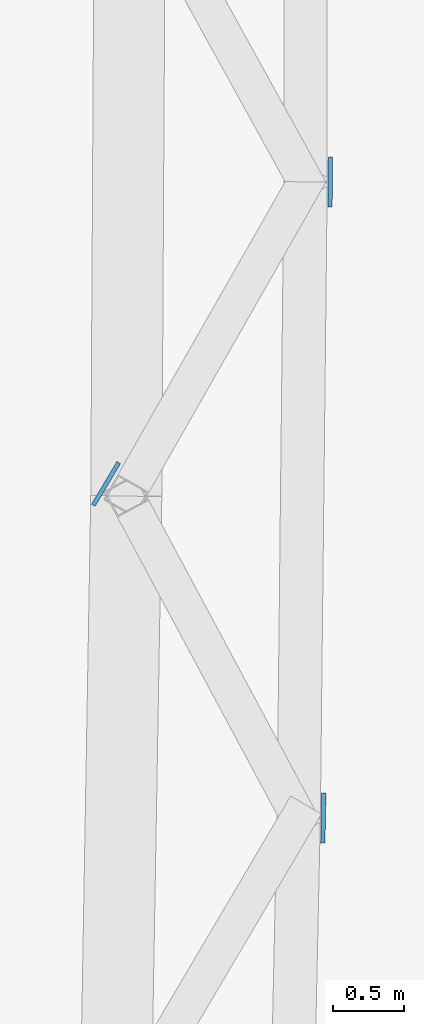
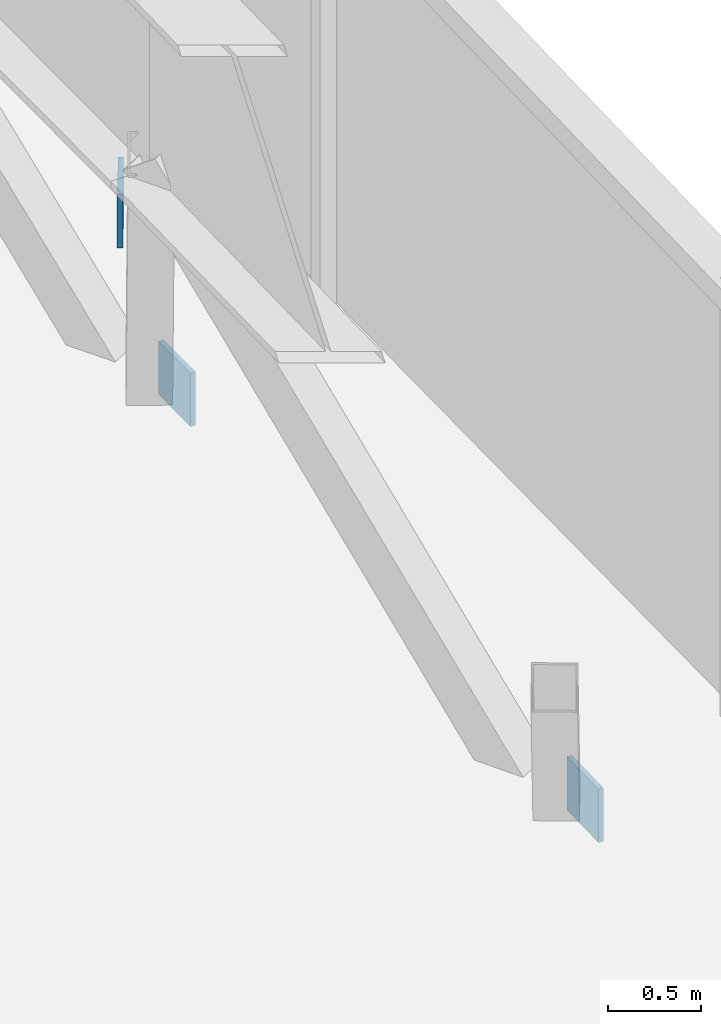
# One storey, part 8 of 19: 3 plates.
"""IFC4 building model written with IfcOpenShell, lengths in metres."""

import ifcopenshell
import ifcopenshell.guid

model = None  # the IFC model being written
_history = None  # IfcOwnerHistory: only IFC2X3 demands one
_inside = {}  # id of a spatial element -> (the spatial element, [elements in it])
_under = {}  # id of a project, library or spatial element -> (it, [spatial elements below it])
_declared = {}  # id of a project -> (the project, [libraries it declares])
_typed = {}  # id of a type object -> (the type object, [elements of that type])
_made_of = {}  # id of a material, layer set ... -> (it, [elements and type objects made of it])


def new_model(schema):
    """Start an empty IFC model of exactly this schema.

    Asked for "IFC4X3", IfcOpenShell would pick the latest addendum, in which some entities
    have other attributes; the version numbers below select the first issue.
    IFC2X3 requires an IfcOwnerHistory on every rooted entity: one is made here for all.
    """
    global model, _history
    if schema == "IFC4X3":
        model = ifcopenshell.file(schema_version=(4, 3, 0, 0))
    else:
        model = ifcopenshell.file(schema=schema)
    _inside.clear()
    _under.clear()
    _declared.clear()
    _typed.clear()
    _made_of.clear()
    _history = None
    if model.schema == "IFC2X3":
        org = make("IfcOrganization", Name="unknown")
        user = make(
            "IfcPersonAndOrganization",
            ThePerson=make("IfcPerson", FamilyName="unknown"),
            TheOrganization=org,
        )
        app = make(
            "IfcApplication",
            ApplicationDeveloper=org,
            Version="unknown",
            ApplicationFullName="unknown",
            ApplicationIdentifier="unknown",
        )
        _history = make(
            "IfcOwnerHistory",
            OwningUser=user,
            OwningApplication=app,
            ChangeAction="ADDED",
            CreationDate=0,
        )
    return model


def make(cls, **values):
    """One entity of the class cls with the attributes given. An attribute that is None is left unset."""
    return model.create_entity(
        cls, **{name: value for name, value in values.items() if value is not None}
    )


def rooted(cls, **values):
    """An entity with a GlobalId (a new one), such as an element, a storey or a relation."""
    return make(cls, GlobalId=ifcopenshell.guid.new(), OwnerHistory=_history, **values)


def si_unit(unit_type, name, prefix=None):
    """IfcSIUnit, for example si_unit("LENGTHUNIT", "METRE", prefix="MILLI")."""
    return make("IfcSIUnit", UnitType=unit_type, Prefix=prefix, Name=name)


def assignment(units):
    """IfcUnitAssignment: the units of a project."""
    return None if units is None else make("IfcUnitAssignment", Units=units)


def point(xyz):
    """IfcCartesianPoint."""
    return None if xyz is None else make("IfcCartesianPoint", Coordinates=xyz)


def direction(xyz):
    """IfcDirection."""
    return None if xyz is None else make("IfcDirection", DirectionRatios=xyz)


def frame(location, z_axis=None, x_axis=None):
    """IfcAxis2Placement3D, a coordinate frame: its origin and axes. An axis left out is left unset."""
    return make(
        "IfcAxis2Placement3D",
        Location=point(location),
        Axis=direction(z_axis),
        RefDirection=direction(x_axis),
    )


def frame_2d(location, x_axis=None):
    """IfcAxis2Placement2D, a coordinate frame in the plane: its origin and x axis."""
    return make(
        "IfcAxis2Placement2D", Location=point(location), RefDirection=direction(x_axis)
    )


def origin():
    """The frame at (0, 0, 0) with its axes left unset."""
    return frame((0.0, 0.0, 0.0))


def origin_2d():
    """The frame at (0, 0) in the plane with its x axis left unset."""
    return frame_2d((0.0, 0.0))


def place(relative_to, where):
    """IfcLocalPlacement: puts the frame where relative to a parent placement (None: the world)."""
    return make(
        "IfcLocalPlacement", PlacementRelTo=relative_to, RelativePlacement=where
    )


def context(
    kind, dimensions, precision=None, world=None, true_north=None, identifier=None
):
    """IfcGeometricRepresentationContext, for example the 3D "Model" context."""
    return make(
        "IfcGeometricRepresentationContext",
        ContextIdentifier=identifier,
        ContextType=kind,
        CoordinateSpaceDimension=dimensions,
        Precision=precision,
        WorldCoordinateSystem=world,
        TrueNorth=true_north,
    )


def subcontext(parent, identifier, kind, view, scale=None):
    """IfcGeometricRepresentationSubContext, for example "Body" below "Model"."""
    return make(
        "IfcGeometricRepresentationSubContext",
        ContextIdentifier=identifier,
        ContextType=kind,
        ParentContext=parent,
        TargetScale=scale,
        TargetView=view,
    )


def project(units=None, contexts=None):
    """IfcProject with its units and contexts."""
    return rooted(
        "IfcProject",
        Name="project",
        RepresentationContexts=contexts,
        UnitsInContext=assignment(units),
    )


def spatial(cls, under=None, at=None, **own):
    """A site, building, storey or space (cls), placed at a placement, below another one or the project."""
    s = rooted(cls, ObjectPlacement=at, **own)
    if under is not None:
        _under.setdefault(under.id(), (under, []))[1].append(s)
    return s


def profile(cls, at=None, kind="AREA", **sizes):
    """A parametric profile (cls). Its sizes go by their IFC names, for example OverallWidth=200.0."""
    return make(cls, ProfileType=kind, Position=at, **sizes)


def rectangle(**sizes):
    """IfcRectangleProfileDef."""
    return profile("IfcRectangleProfileDef", **sizes)


def extrude(swept, where, along, depth):
    """IfcExtrudedAreaSolid: the profile swept, set in the frame where, extruded along a direction by depth."""
    return make(
        "IfcExtrudedAreaSolid",
        SweptArea=swept,
        Position=where,
        ExtrudedDirection=direction(along),
        Depth=depth,
    )


def shape(context_of_items, identifier, shape_type, items):
    """IfcShapeRepresentation: the items that make up one representation, for example the "Body"."""
    return make(
        "IfcShapeRepresentation",
        ContextOfItems=context_of_items,
        RepresentationIdentifier=identifier,
        RepresentationType=shape_type,
        Items=items,
    )


def material(Name=None, Category=None):
    """IfcMaterial."""
    return make("IfcMaterial", Name=Name, Category=Category)


def layer(
    of_material, thickness, ventilated=None, Name=None, Category=None, Priority=None
):
    """IfcMaterialLayer: one layer of a wall or slab, of a material (None: an air gap)."""
    return make(
        "IfcMaterialLayer",
        Material=of_material,
        LayerThickness=thickness,
        IsVentilated=ventilated,
        Name=Name,
        Category=Category,
        Priority=Priority,
    )


def layer_set(layers, Name=None):
    """IfcMaterialLayerSet."""
    return make("IfcMaterialLayerSet", MaterialLayers=layers, LayerSetName=Name)


def made_of(thing, what):
    """Note that an element or type object is made of a material, layer set ...; save() writes the relation."""
    if what is not None:
        _made_of.setdefault(what.id(), (what, []))[1].append(thing)
    return thing


def type_object(cls, material=None, **own):
    """A type object (cls), such as IfcWallType, which elements share."""
    return made_of(rooted(cls, **own), material)


def element(
    cls,
    number,
    at=None,
    inside=None,
    cuts=None,
    type_object=None,
    material=None,
    context=None,
    identifier="Body",
    shape_type=None,
    held_by="IfcProductDefinitionShape",
    body=None,
    shapes=None,
    **own,
):
    """One element of the class cls, such as IfcWall. Its Tag is "e" and its number.

    at: its placement. inside: the storey or other place that contains it. cuts: it is an
    opening in that element (IfcRelVoidsElement). A single representation is given by context,
    identifier, shape_type and body (its items); several are given by shapes. held_by: the class
    of the entity that holds the representations. save() writes the other relations.
    """
    e = rooted(cls, Tag="e%d" % number, ObjectPlacement=at, **own)
    if body is not None:
        shapes = [shape(context, identifier, shape_type, body)]
    if shapes is not None:
        e.Representation = make(held_by, Representations=shapes)
    if inside is not None:
        _inside.setdefault(inside.id(), (inside, []))[1].append(e)
    if cuts is not None:
        rooted(
            "IfcRelVoidsElement", RelatingBuildingElement=cuts, RelatedOpeningElement=e
        )
    if type_object is not None:
        _typed.setdefault(type_object.id(), (type_object, []))[1].append(e)
    return made_of(e, material)


def aggregate(whole, parts):
    """IfcRelAggregates: a whole, such as a stair, and the parts it consists of."""
    return rooted("IfcRelAggregates", RelatingObject=whole, RelatedObjects=parts)


def save(model, path):
    """Write the relations noted so far, then the file.

    IfcRelAggregates (storeys below a building ...), IfcRelContainedInSpatialStructure (elements
    in a storey), IfcRelDefinesByType, IfcRelAssociatesMaterial and IfcRelDeclares: one each for
    every whole, place, type object, material and project.
    """
    for whole, parts in _under.values():
        aggregate(whole, parts)
    for where, things in _inside.values():
        rooted(
            "IfcRelContainedInSpatialStructure",
            RelatedElements=things,
            RelatingStructure=where,
        )
    for kind, things in _typed.values():
        rooted("IfcRelDefinesByType", RelatedObjects=things, RelatingType=kind)
    for what, things in _made_of.values():
        rooted("IfcRelAssociatesMaterial", RelatedObjects=things, RelatingMaterial=what)
    for by, libraries in _declared.values():
        rooted("IfcRelDeclares", RelatingContext=by, RelatedDefinitions=libraries)
    model.write(path)


model = new_model("IFC4")

# Units and contexts
model_context = context("Model", 3, precision=1e-05, world=origin(), true_north=direction((0.0, 1.0)))
body_context = subcontext(model_context, "Body", "Model", "MODEL_VIEW")
ifc_project = project(units=[si_unit("LENGTHUNIT", "METRE"), si_unit("AREAUNIT", "SQUARE_METRE"), si_unit("VOLUMEUNIT", "CUBIC_METRE"), si_unit("PLANEANGLEUNIT", "RADIAN"), si_unit("MASSUNIT", "GRAM", prefix="KILO")], contexts=[model_context])

# Site, building, storey
site_placement = place(None, origin())
site = spatial("IfcSite", under=ifc_project, at=site_placement, CompositionType="ELEMENT")
building_placement = place(site_placement, origin())
building = spatial("IfcBuilding", under=site, at=building_placement, Name="Tamra Quay Hotel Tower", CompositionType="ELEMENT")
storey_placement = place(building_placement, frame((0.0, 0.0, 74.60009765625)))
storey = spatial("IfcBuildingStorey", under=building, at=storey_placement, Name="L17", CompositionType="ELEMENT", Elevation=74.60009765625)

# Plates
ifc_material = material(Name="Structural steel IS 2062 E350", Category="steel")
ifc_layer = layer(ifc_material, 0.030029296875)
ifc_layer_set = layer_set([ifc_layer], Name="BRACE END PLATE 30")
plate_type = type_object("IfcPlateType", Name="BRACE END PLATE 30", PredefinedType="SHEET", material=ifc_layer_set)
for number, where, z_axis, x_axis, name in (
    (1, (22.01953125, -6.708984375, -0.400146484375), (0.0, 0.0, 1.0), (-0.999790798488, 0.02045383239, 0.0), "BEP-L17-006"),
    (2, (22.06787109375, -2.236572265625, -0.400146484375), (0.0, 0.0, 1.0), (-0.999976726891, 0.006822439119, 0.0), "BEP-L17-007"),
    (3, (20.490966796875, -4.35986328125, 2.624755859375), (0.0, 0.0, 1.0), (-0.859380531532, 0.511336583889, 0.0), "BEP-L17-048"),
):
    element("IfcPlate", number, at=place(storey_placement, frame(where, z_axis=z_axis, x_axis=x_axis)), inside=storey, type_object=plate_type, Name=name, PredefinedType="SHEET", context=body_context, shape_type="SweptSolid", body=[
        extrude(rectangle(XDim=0.030029296875, YDim=0.35009765625, at=origin_2d()), origin(), (0.0, 0.0, 1.0), 0.35009765625),
    ])

save(model, "model.ifc")
